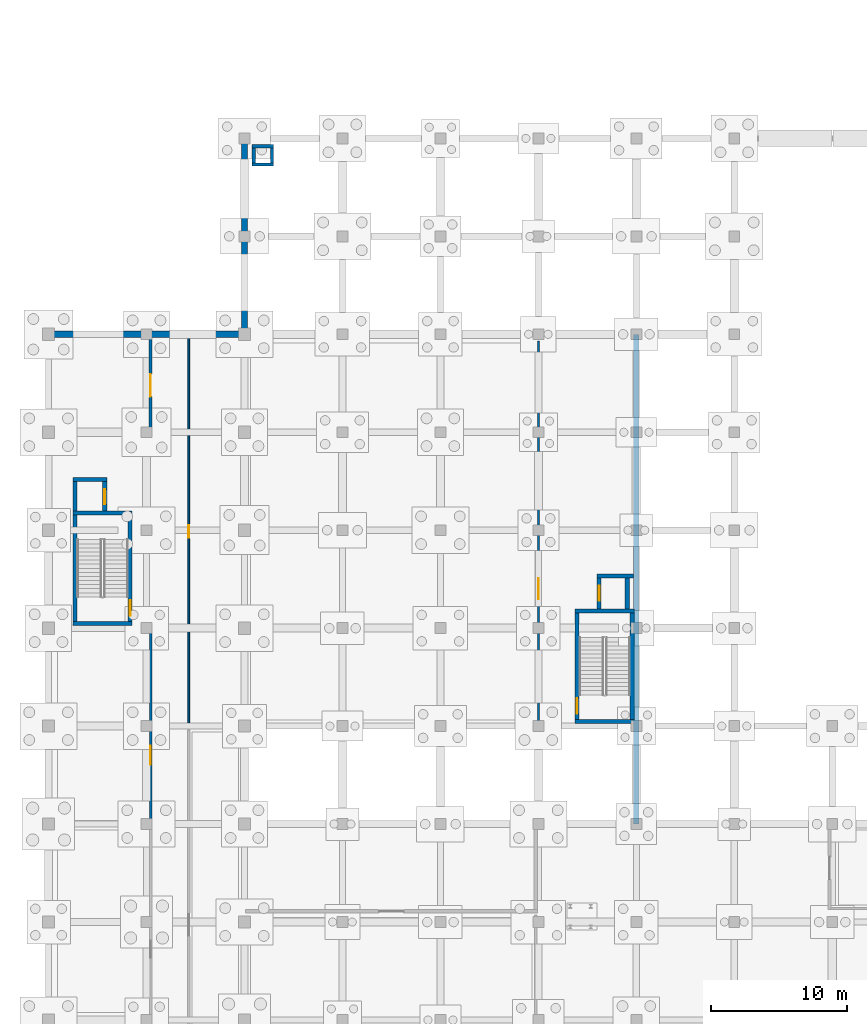
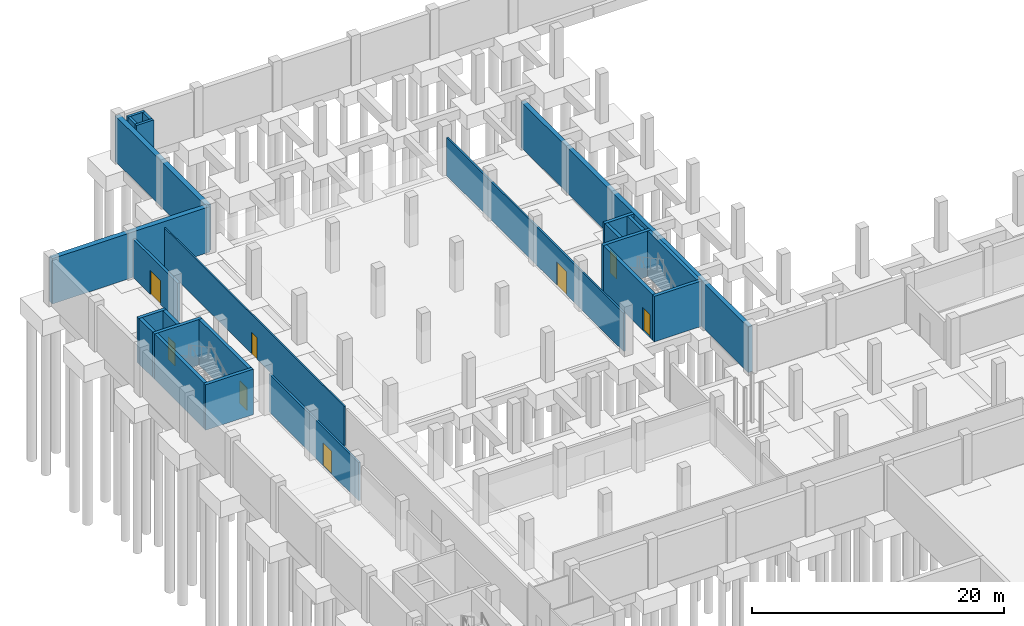
# One storey, part 26 of 38: 25 walls, 8 doors, 8 openings.
"""IFC4 building model written with IfcOpenShell, lengths in metres."""

from ifc_helpers import new_model, si_unit, direction, frame, frame_2d, origin, place, context, subcontext, project, spatial, rectangle, extrude, material, layer, layer_set, type_object, element, fill, save


model = new_model("IFC4")

# Units and contexts
model_context = context("Model", 3, precision=1e-05, world=origin(), true_north=direction((0.0, 1.0)))
body_context = subcontext(model_context, "Body", "Model", "MODEL_VIEW")
ifc_project = project(units=[si_unit("LENGTHUNIT", "METRE"), si_unit("AREAUNIT", "SQUARE_METRE"), si_unit("VOLUMEUNIT", "CUBIC_METRE"), si_unit("PLANEANGLEUNIT", "RADIAN"), si_unit("MASSUNIT", "GRAM", prefix="KILO")], contexts=[model_context])

# Site, building, storey
site_placement = place(None, origin())
site = spatial("IfcSite", under=ifc_project, at=site_placement, CompositionType="ELEMENT")
building_placement = place(site_placement, origin())
building = spatial("IfcBuilding", under=site, at=building_placement, Name="Valkovuoma Quantum and Materials Research Institute", CompositionType="ELEMENT")
storey_placement = place(building_placement, frame((0.0, 0.0, -4.800048828125)))
storey = spatial("IfcBuildingStorey", under=building, at=storey_placement, Name="B1", CompositionType="ELEMENT", Elevation=-4.800048828125)

# Walls
ifc_material_1 = material(Name="Concrete C40/50", Category="concrete")
ifc_layer_1 = layer(ifc_material_1, 0.300048828125)
ifc_layer_set_1 = layer_set([ifc_layer_1], Name="Concrete C40/50")
wall_type_1 = type_object("IfcWallType", Name="Wall-W-COR300", PredefinedType="SHEAR", material=ifc_layer_set_1)
for number, where, z_axis, x_axis, name in (
    (1, (1.800048828125, 72.35009765625, 0.0), (0.0, 0.0, 1.0), (1.0, 0.0, 0.0), "B1 core wall 0122"),
    (2, (1.800048828125, 80.449951171875, 0.0), (0.0, 0.0, 1.0), (1.0, 0.0, 0.0), "B1 core wall 0123"),
):
    element("IfcWall", number, at=place(storey_placement, frame(where, z_axis=z_axis, x_axis=x_axis)), inside=storey, type_object=wall_type_1, Name=name, PredefinedType="SHEAR", context=body_context, shape_type="SweptSolid", body=[
        extrude(rectangle(XDim=4.349853515625, YDim=0.300048828125, at=frame_2d((2.1748046875, 0.0))), origin(), (0.0, 0.0, 1.0), 4.400146484375),
    ])
wall_1_placement = place(storey_placement, frame((1.949951171875, 72.5, 0.0), z_axis=(0.0, 0.0, 1.0), x_axis=(0.0, 1.0, 0.0)))
element("IfcWall", 3, at=wall_1_placement, inside=storey, type_object=wall_type_1, Name="B1 core wall 0124", PredefinedType="SHEAR", context=body_context, shape_type="SweptSolid", body=[
    extrude(rectangle(XDim=7.800048828125, YDim=0.300048828125, at=frame_2d((3.89990234375, 0.0))), origin(), (0.0, 0.0, 1.0), 4.400146484375),
])

# Wall, opening, door
wall_2_placement = place(storey_placement, frame((6.0, 72.5, 0.0), z_axis=(0.0, 0.0, 1.0), x_axis=(0.0, 1.0, 0.0)))
wall_2 = element("IfcWall", 4, at=wall_2_placement, inside=storey, type_object=wall_type_1, Name="B1 core wall 0125", PredefinedType="SHEAR", context=body_context, shape_type="SweptSolid", body=[
    extrude(rectangle(XDim=7.800048828125, YDim=0.300048828125, at=frame_2d((3.89990234375, 0.0))), origin(), (0.0, 0.0, 1.0), 4.400146484375),
])
opening_1_placement = place(wall_2_placement, frame((0.39990234375, 0.0, 0.0)))
opening_1 = element("IfcOpeningElement", 5, at=opening_1_placement, cuts=wall_2, Name="Opening SD-023", PredefinedType="OPENING", context=body_context, shape_type="SweptSolid", body=[
    extrude(rectangle(XDim=1.14990234375, YDim=2.199951171875, at=frame_2d((0.574951171875, 1.10009765625))), frame((0.0, 0.16015625, 0.0), z_axis=(0.0, -1.0, 0.0), x_axis=(1.0, 0.0, 0.0)), (0.0, 0.0, 1.0), 0.320068359375),
])
ifc_material_2 = material(Name="Powder-coated steel and acoustic timber door assembly", Category="steel")
door_type_1 = type_object("IfcDoorType", Name="Door-DR-ST60", OperationType="NOTDEFINED", PredefinedType="DOOR", material=ifc_material_2)
door_1_placement = place(opening_1_placement, origin())
door_1 = element("IfcDoor", 6, at=door_1_placement, inside=storey, type_object=door_type_1, Name="B1 ST-2 fire door", OperationType="SINGLE_SWING_RIGHT", OverallHeight=2.199951171875, OverallWidth=1.14990234375, PredefinedType="DOOR", context=body_context, shape_type="SweptSolid", body=[
    extrude(rectangle(XDim=1.14990234375, YDim=2.199951171875, at=frame_2d((0.574951171875, 1.10009765625))), frame((0.0, 0.02490234375, 0.0), z_axis=(0.0, -1.0, 0.0), x_axis=(1.0, 0.0, 0.0)), (0.0, 0.0, 1.0), 0.050048828125),
])
fill(opening_1, door_1)

# Walls
wall_3_placement = place(storey_placement, frame((1.800048828125, 82.929931640625, 0.0), z_axis=(0.0, 0.0, 1.0), x_axis=(1.0, 0.0, 0.0)))
element("IfcWall", 7, at=wall_3_placement, inside=storey, type_object=wall_type_1, Name="B1 core wall 0126", PredefinedType="SHEAR", context=body_context, shape_type="SweptSolid", body=[
    extrude(rectangle(XDim=2.47998046875, YDim=0.300048828125, at=frame_2d((1.239990234375, 0.0))), origin(), (0.0, 0.0, 1.0), 4.400146484375),
])
wall_4_placement = place(storey_placement, frame((1.949951171875, 80.60009765625, 0.0), z_axis=(0.0, 0.0, 1.0), x_axis=(0.0, 1.0, 0.0)))
element("IfcWall", 8, at=wall_4_placement, inside=storey, type_object=wall_type_1, Name="B1 core wall 0127", PredefinedType="SHEAR", context=body_context, shape_type="SweptSolid", body=[
    extrude(rectangle(XDim=2.179931640625, YDim=0.300048828125, at=frame_2d((1.08984375, 0.0))), origin(), (0.0, 0.0, 1.0), 4.400146484375),
])

# Wall, opening, door
wall_5_placement = place(storey_placement, frame((4.1298828125, 80.60009765625, 0.0), z_axis=(0.0, 0.0, 1.0), x_axis=(0.0, 1.0, 0.0)))
wall_5 = element("IfcWall", 9, at=wall_5_placement, inside=storey, type_object=wall_type_1, Name="B1 core wall 0128", PredefinedType="SHEAR", context=body_context, shape_type="SweptSolid", body=[
    extrude(rectangle(XDim=2.179931640625, YDim=0.300048828125, at=frame_2d((1.08984375, 0.0))), origin(), (0.0, 0.0, 1.0), 4.400146484375),
])
opening_2_placement = place(wall_5_placement, frame((0.5, 0.0, 0.0)))
opening_2 = element("IfcOpeningElement", 10, at=opening_2_placement, cuts=wall_5, Name="Opening LD-023", PredefinedType="OPENING", context=body_context, shape_type="SweptSolid", body=[
    extrude(rectangle(XDim=1.10009765625, YDim=2.199951171875, at=frame_2d((0.550048828125, 1.10009765625))), frame((0.0, 0.16015625, 0.0), z_axis=(0.0, -1.0, 0.0), x_axis=(1.0, 0.0, 0.0)), (0.0, 0.0, 1.0), 0.320068359375),
])
ifc_material_3 = material(Name="Powder-coated steel and acoustic timber door assembly", Category="steel")
door_type_2 = type_object("IfcDoorType", Name="Door-DR-LD01", OperationType="NOTDEFINED", PredefinedType="DOOR", material=ifc_material_3)
door_2_placement = place(opening_2_placement, origin())
door_2 = element("IfcDoor", 11, at=door_2_placement, inside=storey, type_object=door_type_2, Name="B1 LIFT-P2 sliding landing door", OperationType="SLIDING_TO_LEFT", OverallHeight=2.199951171875, OverallWidth=1.10009765625, PredefinedType="DOOR", context=body_context, shape_type="SweptSolid", body=[
    extrude(rectangle(XDim=1.10009765625, YDim=2.199951171875, at=frame_2d((0.550048828125, 1.10009765625))), frame((0.0, 0.02490234375, 0.0), z_axis=(0.0, -1.0, 0.0), x_axis=(1.0, 0.0, 0.0)), (0.0, 0.0, 1.0), 0.050048828125),
])
fill(opening_2, door_2)

# Walls
for number, where, z_axis, x_axis, name in (
    (12, (38.699951171875, 65.14990234375, 0.0), (0.0, 0.0, 1.0), (1.0, 0.0, 0.0), "B1 core wall 0263"),
    (13, (38.699951171875, 73.25, 0.0), (0.0, 0.0, 1.0), (1.0, 0.0, 0.0), "B1 core wall 0264"),
):
    element("IfcWall", number, at=place(storey_placement, frame(where, z_axis=z_axis, x_axis=x_axis)), inside=storey, type_object=wall_type_1, Name=name, PredefinedType="SHEAR", context=body_context, shape_type="SweptSolid", body=[
        extrude(rectangle(XDim=4.35009765625, YDim=0.300048828125, at=frame_2d((2.175048828125, 0.0))), origin(), (0.0, 0.0, 1.0), 4.400146484375),
    ])

# Wall, opening, door
wall_6_placement = place(storey_placement, frame((38.85009765625, 65.300048828125, 0.0), z_axis=(0.0, 0.0, 1.0), x_axis=(0.0, 1.0, 0.0)))
wall_6 = element("IfcWall", 14, at=wall_6_placement, inside=storey, type_object=wall_type_1, Name="B1 core wall 0265", PredefinedType="SHEAR", context=body_context, shape_type="SweptSolid", body=[
    extrude(rectangle(XDim=7.800048828125, YDim=0.300048828125, at=frame_2d((3.89990234375, 0.0))), origin(), (0.0, 0.0, 1.0), 4.400146484375),
])
opening_3_placement = place(wall_6_placement, frame((0.39990234375, 0.0, 0.0)))
opening_3 = element("IfcOpeningElement", 15, at=opening_3_placement, cuts=wall_6, Name="Opening SD-042", PredefinedType="OPENING", context=body_context, shape_type="SweptSolid", body=[
    extrude(rectangle(XDim=1.14990234375, YDim=2.199951171875, at=frame_2d((0.574951171875, 1.10009765625))), frame((0.0, 0.16015625, 0.0), z_axis=(0.0, -1.0, 0.0), x_axis=(1.0, 0.0, 0.0)), (0.0, 0.0, 1.0), 0.320068359375),
])
door_3_placement = place(opening_3_placement, frame((1.14990234375, 0.0, 0.0), z_axis=(0.0, 0.0, 1.0), x_axis=(-1.0, 0.0, 0.0)))
door_3 = element("IfcDoor", 16, at=door_3_placement, inside=storey, type_object=door_type_1, Name="B1 ST-4 fire door", OperationType="SINGLE_SWING_LEFT", OverallHeight=2.199951171875, OverallWidth=1.14990234375, PredefinedType="DOOR", context=body_context, shape_type="SweptSolid", body=[
    extrude(rectangle(XDim=1.14990234375, YDim=2.199951171875, at=frame_2d((0.574951171875, 1.10009765625))), frame((0.0, 0.02490234375, 0.0), z_axis=(0.0, -1.0, 0.0), x_axis=(1.0, 0.0, 0.0)), (0.0, 0.0, 1.0), 0.050048828125),
])
fill(opening_3, door_3)

# Walls
wall_7_placement = place(storey_placement, frame((42.89990234375, 65.300048828125, 0.0), z_axis=(0.0, 0.0, 1.0), x_axis=(0.0, 1.0, 0.0)))
element("IfcWall", 17, at=wall_7_placement, inside=storey, type_object=wall_type_1, Name="B1 core wall 0266", PredefinedType="SHEAR", context=body_context, shape_type="SweptSolid", body=[
    extrude(rectangle(XDim=7.800048828125, YDim=0.300048828125, at=frame_2d((3.89990234375, 0.0))), origin(), (0.0, 0.0, 1.0), 4.400146484375),
])
wall_8_placement = place(storey_placement, frame((40.320068359375, 75.830078125, 0.0), z_axis=(0.0, 0.0, 1.0), x_axis=(1.0, 0.0, 0.0)))
element("IfcWall", 18, at=wall_8_placement, inside=storey, type_object=wall_type_1, Name="B1 core wall 0267", PredefinedType="SHEAR", context=body_context, shape_type="SweptSolid", body=[
    extrude(rectangle(XDim=2.679931640625, YDim=0.300048828125, at=frame_2d((1.33984375, 0.0))), origin(), (0.0, 0.0, 1.0), 4.400146484375),
])

# Wall, opening, door
wall_9_placement = place(storey_placement, frame((40.469970703125, 73.39990234375, 0.0), z_axis=(0.0, 0.0, 1.0), x_axis=(0.0, 1.0, 0.0)))
wall_9 = element("IfcWall", 19, at=wall_9_placement, inside=storey, type_object=wall_type_1, Name="B1 core wall 0268", PredefinedType="SHEAR", context=body_context, shape_type="SweptSolid", body=[
    extrude(rectangle(XDim=2.280029296875, YDim=0.300048828125, at=frame_2d((1.14013671875, 0.0))), origin(), (0.0, 0.0, 1.0), 4.400146484375),
])
opening_4_placement = place(wall_9_placement, frame((0.60009765625, 0.0, 0.0)))
opening_4 = element("IfcOpeningElement", 20, at=opening_4_placement, cuts=wall_9, Name="Opening LD-050", PredefinedType="OPENING", context=body_context, shape_type="SweptSolid", body=[
    extrude(rectangle(XDim=1.10009765625, YDim=2.199951171875, at=frame_2d((0.550048828125, 1.10009765625))), frame((0.0, 0.16015625, 0.0), z_axis=(0.0, -1.0, 0.0), x_axis=(1.0, 0.0, 0.0)), (0.0, 0.0, 1.0), 0.320068359375),
])
door_4_placement = place(opening_4_placement, origin())
door_4 = element("IfcDoor", 21, at=door_4_placement, inside=storey, type_object=door_type_2, Name="B1 LIFT-P4 sliding landing door", OperationType="SLIDING_TO_LEFT", OverallHeight=2.199951171875, OverallWidth=1.10009765625, PredefinedType="DOOR", context=body_context, shape_type="SweptSolid", body=[
    extrude(rectangle(XDim=1.10009765625, YDim=2.199951171875, at=frame_2d((0.550048828125, 1.10009765625))), frame((0.0, 0.02490234375, 0.0), z_axis=(0.0, -1.0, 0.0), x_axis=(1.0, 0.0, 0.0)), (0.0, 0.0, 1.0), 0.050048828125),
])
fill(opening_4, door_4)

# Wall
wall_10_placement = place(storey_placement, frame((42.530029296875, 73.39990234375, 0.0), z_axis=(0.0, 0.0, 1.0), x_axis=(0.0, 1.0, 0.0)))
element("IfcWall", 22, at=wall_10_placement, inside=storey, type_object=wall_type_1, Name="B1 core wall 0269", PredefinedType="SHEAR", context=body_context, shape_type="SweptSolid", body=[
    extrude(rectangle(XDim=2.280029296875, YDim=0.300048828125, at=frame_2d((1.14013671875, 0.0))), origin(), (0.0, 0.0, 1.0), 4.400146484375),
])

# Wall, opening, door
ifc_material_4 = material(Name="Interior office stud partition", Category="masonry")
ifc_layer_2 = layer(ifc_material_4, 0.135009765625)
ifc_layer_set_2 = layer_set([ifc_layer_2], Name="Interior office stud partition")
wall_type_2 = type_object("IfcWallType", Name="Wall-W-PRT135", PredefinedType="PARTITIONING", material=ifc_layer_set_2)
wall_11_placement = place(storey_placement, frame((10.300048828125, 64.867431640625, 0.0), z_axis=(0.0, 0.0, 1.0), x_axis=(0.0, 1.0, 0.0)))
wall_11 = element("IfcWall", 23, at=wall_11_placement, inside=storey, type_object=wall_type_2, Name="B1 partition 0009", PredefinedType="PARTITIONING", context=body_context, shape_type="SweptSolid", body=[
    extrude(rectangle(XDim=28.507568359375, YDim=0.135009765625, at=frame_2d((14.25390625, 0.0))), origin(), (0.0, 0.0, 1.0), 3.800048828125),
])
opening_5_placement = place(wall_11_placement, frame((13.793701171875, 0.0, 0.0)))
opening_5 = element("IfcOpeningElement", 24, at=opening_5_placement, cuts=wall_11, Name="Opening ID-0007", PredefinedType="OPENING", context=body_context, shape_type="SweptSolid", body=[
    extrude(rectangle(XDim=0.919921875, YDim=2.10009765625, at=frame_2d((0.4599609375, 1.050048828125))), frame((0.0, 0.07763671875, 0.0), z_axis=(0.0, -1.0, 0.0), x_axis=(1.0, 0.0, 0.0)), (0.0, 0.0, 1.0), 0.155029296875),
])
ifc_material_5 = material(Name="Powder-coated steel and acoustic timber door assembly", Category="steel")
door_type_3 = type_object("IfcDoorType", Name="Door-DR-OF01", OperationType="NOTDEFINED", PredefinedType="DOOR", material=ifc_material_5)
door_5_placement = place(opening_5_placement, origin())
door_5 = element("IfcDoor", 25, at=door_5_placement, inside=storey, type_object=door_type_3, Name="B1 room door 0007", OperationType="SINGLE_SWING_RIGHT", OverallHeight=2.10009765625, OverallWidth=0.919921875, PredefinedType="DOOR", context=body_context, shape_type="SweptSolid", body=[
    extrude(rectangle(XDim=0.919921875, YDim=2.10009765625, at=frame_2d((0.4599609375, 1.050048828125))), frame((0.0, 0.02490234375, 0.0), z_axis=(0.0, -1.0, 0.0), x_axis=(1.0, 0.0, 0.0)), (0.0, 0.0, 1.0), 0.050048828125),
])
fill(opening_5, door_5)

ifc_material_6 = material(Name="Cleanroom insulated metal-faced partition", Category="masonry")
ifc_layer_3 = layer(ifc_material_6, 0.159912109375)
ifc_layer_set_3 = layer_set([ifc_layer_3], Name="Cleanroom insulated metal-faced partition")
wall_type_3 = type_object("IfcWallType", Name="Wall-W-PRT160", PredefinedType="PARTITIONING", material=ifc_layer_set_3)
wall_12_placement = place(storey_placement, frame((36.0, 65.080078125, 0.0), z_axis=(0.0, 0.0, 1.0), x_axis=(0.0, 1.0, 0.0)))
wall_12 = element("IfcWall", 26, at=wall_12_placement, inside=storey, type_object=wall_type_3, Name="B1 partition 0016", PredefinedType="PARTITIONING", context=body_context, shape_type="SweptSolid", body=[
    extrude(rectangle(XDim=28.0400390625, YDim=0.159912109375, at=frame_2d((14.02001953125, 0.0))), origin(), (0.0, 0.0, 1.0), 3.699951171875),
])
opening_6_placement = place(wall_12_placement, frame((9.0390625, 0.0, 0.0)))
opening_6 = element("IfcOpeningElement", 27, at=opening_6_placement, cuts=wall_12, Name="Opening ID-0012", PredefinedType="OPENING", context=body_context, shape_type="SweptSolid", body=[
    extrude(rectangle(XDim=1.550048828125, YDim=2.25, at=frame_2d((0.77490234375, 1.125))), frame((0.0, 0.08984375, 0.0), z_axis=(0.0, -1.0, 0.0), x_axis=(1.0, 0.0, 0.0)), (0.0, 0.0, 1.0), 0.179931640625),
])
ifc_material_7 = material(Name="Powder-coated steel and acoustic timber door assembly", Category="steel")
door_type_4 = type_object("IfcDoorType", Name="Door-DR-CL04", OperationType="NOTDEFINED", PredefinedType="DOOR", material=ifc_material_7)
door_6_placement = place(opening_6_placement, origin())
door_6 = element("IfcDoor", 28, at=door_6_placement, inside=storey, type_object=door_type_4, Name="B1 room door 0012", OperationType="DOUBLE_DOOR_SINGLE_SWING", OverallHeight=2.25, OverallWidth=1.550048828125, PredefinedType="DOOR", context=body_context, shape_type="SweptSolid", body=[
    extrude(rectangle(XDim=1.550048828125, YDim=2.25, at=frame_2d((0.77490234375, 1.125))), frame((0.0, 0.02490234375, 0.0), z_axis=(0.0, -1.0, 0.0), x_axis=(1.0, 0.0, 0.0)), (0.0, 0.0, 1.0), 0.050048828125),
])
fill(opening_6, door_6)

ifc_material_8 = material(Name="Laboratory fire-rated gypsum partition", Category="masonry")
ifc_layer_4 = layer(ifc_material_8, 0.179931640625)
ifc_layer_set_4 = layer_set([ifc_layer_4], Name="Laboratory fire-rated gypsum partition")
wall_type_4 = type_object("IfcWallType", Name="Wall-W-PRT180", PredefinedType="PARTITIONING", material=ifc_layer_set_4)
wall_13_placement = place(storey_placement, frame((7.5, 57.68994140625, 0.0), z_axis=(0.0, 0.0, 1.0), x_axis=(0.0, 1.0, 0.0)))
wall_13 = element("IfcWall", 29, at=wall_13_placement, inside=storey, type_object=wall_type_4, Name="B1 partition 0006", PredefinedType="PARTITIONING", context=body_context, shape_type="SweptSolid", body=[
    extrude(rectangle(XDim=14.219970703125, YDim=0.179931640625, at=frame_2d((7.10986328125, 0.0))), origin(), (0.0, 0.0, 1.0), 3.699951171875),
])
opening_7_placement = place(wall_13_placement, frame((4.277099609375, 0.0, 0.0)))
opening_7 = element("IfcOpeningElement", 30, at=opening_7_placement, cuts=wall_13, Name="Opening ID-0004", PredefinedType="OPENING", context=body_context, shape_type="SweptSolid", body=[
    extrude(rectangle(XDim=1.39990234375, YDim=2.199951171875, at=frame_2d((0.699951171875, 1.10009765625))), frame((0.0, 0.10009765625, 0.0), z_axis=(0.0, -1.0, 0.0), x_axis=(1.0, 0.0, 0.0)), (0.0, 0.0, 1.0), 0.199951171875),
])
ifc_material_9 = material(Name="Powder-coated steel and acoustic timber door assembly", Category="steel")
door_type_5 = type_object("IfcDoorType", Name="Door-DR-LB04", OperationType="NOTDEFINED", PredefinedType="DOOR", material=ifc_material_9)
door_7_placement = place(opening_7_placement, origin())
door_7 = element("IfcDoor", 31, at=door_7_placement, inside=storey, type_object=door_type_5, Name="B1 room door 0004", OperationType="SINGLE_SWING_LEFT", OverallHeight=2.199951171875, OverallWidth=1.39990234375, PredefinedType="DOOR", context=body_context, shape_type="SweptSolid", body=[
    extrude(rectangle(XDim=1.39990234375, YDim=2.199951171875, at=frame_2d((0.699951171875, 1.10009765625))), frame((0.0, 0.02490234375, 0.0), z_axis=(0.0, -1.0, 0.0), x_axis=(1.0, 0.0, 0.0)), (0.0, 0.0, 1.0), 0.050048828125),
])
fill(opening_7, door_7)

# Walls
ifc_material_10 = material(Name="Concrete C35/45", Category="concrete")
ifc_layer_5 = layer(ifc_material_10, 0.39990234375)
ifc_layer_set_5 = layer_set([ifc_layer_5], Name="Concrete C35/45")
wall_type_5 = type_object("IfcWallType", Name="Wall-W-RET400", PredefinedType="STANDARD", material=ifc_layer_set_5)
wall_14_placement = place(storey_placement, frame((43.199951171875, 57.60009765625, 0.0), z_axis=(0.0, 0.0, 1.0), x_axis=(0.0, 1.0, 0.0)))
element("IfcWall", 32, at=wall_14_placement, inside=storey, type_object=wall_type_5, Name="B1 exterior wall 0017", PredefinedType="STANDARD", context=body_context, shape_type="SweptSolid", body=[
    extrude(rectangle(XDim=36.0, YDim=0.39990234375, at=frame_2d((18.0, 0.0))), origin(), (0.0, 0.0, 1.0), 4.400146484375),
])
ifc_material_11 = material(Name="Concrete C35/45", Category="concrete")
ifc_layer_6 = layer(ifc_material_11, 0.449951171875)
ifc_layer_set_6 = layer_set([ifc_layer_6], Name="Concrete C35/45")
wall_type_6 = type_object("IfcWallType", Name="Wall-W-RET450", PredefinedType="STANDARD", material=ifc_layer_set_6)
for number, where, z_axis, x_axis, name in (
    (33, (0.0, 93.60009765625, 0.0), (0.0, 0.0, 1.0), (1.0, 0.0, 0.0), "B1 exterior wall 0002"),
    (34, (14.39990234375, 93.60009765625, 0.0), (0.0, 0.0, 1.0), (0.0, 1.0, 0.0), "B1 exterior wall 0003"),
):
    element("IfcWall", number, at=place(storey_placement, frame(where, z_axis=z_axis, x_axis=x_axis)), inside=storey, type_object=wall_type_6, Name=name, PredefinedType="STANDARD", context=body_context, shape_type="SweptSolid", body=[
        extrude(rectangle(XDim=14.39990234375, YDim=0.449951171875, at=frame_2d((7.199951171875, 0.0))), origin(), (0.0, 0.0, 1.0), 4.400146484375),
    ])

# Wall, opening, door
ifc_material_12 = material(Name="Concrete C40/50", Category="concrete")
ifc_layer_7 = layer(ifc_material_12, 0.239990234375)
ifc_layer_set_7 = layer_set([ifc_layer_7], Name="Concrete C40/50")
wall_type_7 = type_object("IfcWallType", Name="Wall-W-SHF240", PredefinedType="SOLIDWALL", material=ifc_layer_set_7)
wall_15_placement = place(storey_placement, frame((7.5, 86.320068359375, 0.0), z_axis=(0.0, 0.0, 1.0), x_axis=(0.0, 1.0, 0.0)))
wall_15 = element("IfcWall", 35, at=wall_15_placement, inside=storey, type_object=wall_type_7, Name="B1 partition 0007", PredefinedType="SOLIDWALL", context=body_context, shape_type="SweptSolid", body=[
    extrude(rectangle(XDim=7.054931640625, YDim=0.239990234375, at=frame_2d((3.52734375, 0.0))), origin(), (0.0, 0.0, 1.0), 3.699951171875),
])
opening_8_placement = place(wall_15_placement, frame((2.702392578125, 0.0, 0.0)))
opening_8 = element("IfcOpeningElement", 36, at=opening_8_placement, cuts=wall_15, Name="Opening ID-0005", PredefinedType="OPENING", context=body_context, shape_type="SweptSolid", body=[
    extrude(rectangle(XDim=1.64990234375, YDim=2.300048828125, at=frame_2d((0.824951171875, 1.14990234375))), frame((0.0, 0.1298828125, 0.0), z_axis=(0.0, -1.0, 0.0), x_axis=(1.0, 0.0, 0.0)), (0.0, 0.0, 1.0), 0.260009765625),
])
ifc_material_13 = material(Name="Powder-coated steel and acoustic timber door assembly", Category="steel")
door_type_6 = type_object("IfcDoorType", Name="Door-DR-PL01", OperationType="NOTDEFINED", PredefinedType="DOOR", material=ifc_material_13)
door_8_placement = place(opening_8_placement, origin())
door_8 = element("IfcDoor", 37, at=door_8_placement, inside=storey, type_object=door_type_6, Name="B1 room door 0005", OperationType="DOUBLE_DOOR_SINGLE_SWING", OverallHeight=2.300048828125, OverallWidth=1.64990234375, PredefinedType="DOOR", context=body_context, shape_type="SweptSolid", body=[
    extrude(rectangle(XDim=1.64990234375, YDim=2.300048828125, at=frame_2d((0.824951171875, 1.14990234375))), frame((0.0, 0.02490234375, 0.0), z_axis=(0.0, -1.0, 0.0), x_axis=(1.0, 0.0, 0.0)), (0.0, 0.0, 1.0), 0.050048828125),
])
fill(opening_8, door_8)

# Walls
for number, where, z_axis, x_axis, name in (
    (38, (14.9599609375, 106.080078125, 0.0), (0.0, 0.0, 1.0), (1.0, 0.0, 0.0), "B1 core wall 0301"),
    (39, (14.9599609375, 107.419921875, 0.0), (0.0, 0.0, 1.0), (1.0, 0.0, 0.0), "B1 core wall 0302"),
):
    element("IfcWall", number, at=place(storey_placement, frame(where, z_axis=z_axis, x_axis=x_axis)), inside=storey, type_object=wall_type_7, Name=name, PredefinedType="SOLIDWALL", context=body_context, shape_type="SweptSolid", body=[
        extrude(rectangle(XDim=1.580078125, YDim=0.239990234375, at=frame_2d((0.7900390625, 0.0))), origin(), (0.0, 0.0, 1.0), 4.400146484375),
    ])
for number, where, z_axis, x_axis, name in (
    (40, (15.080078125, 106.199951171875, 0.0), (0.0, 0.0, 1.0), (0.0, 1.0, 0.0), "B1 core wall 0303"),
    (41, (16.419921875, 106.199951171875, 0.0), (0.0, 0.0, 1.0), (0.0, 1.0, 0.0), "B1 core wall 0304"),
):
    element("IfcWall", number, at=place(storey_placement, frame(where, z_axis=z_axis, x_axis=x_axis)), inside=storey, type_object=wall_type_7, Name=name, PredefinedType="SOLIDWALL", context=body_context, shape_type="SweptSolid", body=[
        extrude(rectangle(XDim=1.10009765625, YDim=0.239990234375, at=frame_2d((0.550048828125, 0.0))), origin(), (0.0, 0.0, 1.0), 4.400146484375),
    ])

save(model, "model.ifc")
